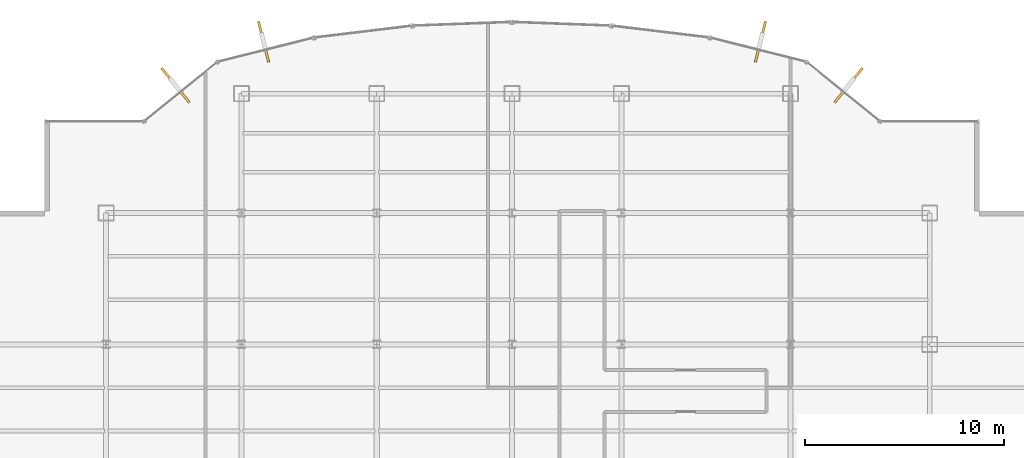
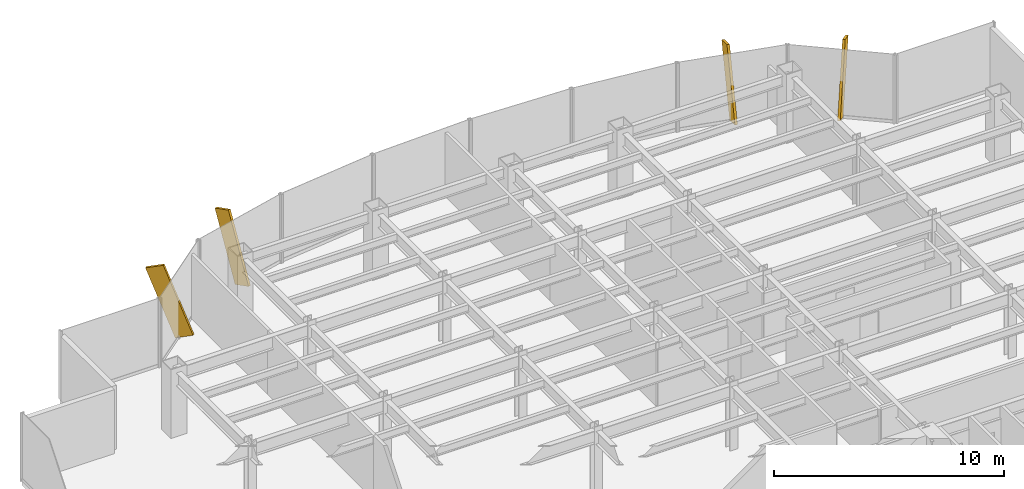
# One storey, part 25 of 26: 4 shading devices.
"""IFC4 building model written with IfcOpenShell, lengths in metres."""

from ifc_helpers import new_model, si_unit, derived_unit, direction, frame, origin, origin_2d, place, context, subcontext, project, spatial, rectangle, extrude, source, transform, mapped, material, type_object, element, save


model = new_model("IFC4")

# Units and contexts
model_context = context("Model", 3, precision=1e-05, world=origin(), true_north=direction((0.0, 1.0)))
body_context = subcontext(model_context, "Body", "Model", "MODEL_VIEW")
ifc_project = project(units=[si_unit("LENGTHUNIT", "METRE"), si_unit("AREAUNIT", "SQUARE_METRE"), si_unit("VOLUMEUNIT", "CUBIC_METRE"), si_unit("PLANEANGLEUNIT", "RADIAN"), si_unit("MASSUNIT", "GRAM", prefix="KILO"), derived_unit("THERMALTRANSMITTANCEUNIT", [(si_unit("POWERUNIT", "WATT"), 1), (si_unit("LENGTHUNIT", "METRE"), -2), (si_unit("THERMODYNAMICTEMPERATUREUNIT", "KELVIN"), -1)])], contexts=[model_context])

# Site, building, storey
site_placement = place(None, origin())
site = spatial("IfcSite", under=ifc_project, at=site_placement, CompositionType="ELEMENT")
building_placement = place(site_placement, origin())
building = spatial("IfcBuilding", under=site, at=building_placement, Name="Skarnbrae Concourse Arena and Tower", CompositionType="ELEMENT")
storey_placement = place(building_placement, frame((0.0, 0.0, 117.85009765625)))
storey = spatial("IfcBuildingStorey", under=building, at=storey_placement, Name="L29", CompositionType="ELEMENT", Elevation=117.85009765625)

# Shading devices
ifc_material = material(Name="Bronze anodised aluminium 6063-T6", Category="aluminium")
shading_device_type = type_object("IfcShadingDeviceType", Name="SHD-BRONZE-FIN-900", PredefinedType="USERDEFINED", material=ifc_material)
shared_shape = source(origin(), body_context, "Body", "SweptSolid", [
    extrude(rectangle(XDim=0.1201171875, YDim=0.89990234375, at=origin_2d()), origin(), (0.0, 0.0, 1.0), 3.64990234375),
])
for number, where, z_axis, x_axis, name in (
    (1, (44.4833984375, 40.28564453125, 0.136962890625), (0.239526668578, 0.294926759827, 0.925010908789), (0.776244501415, -0.630431974144, 0.0), "L29 Outward-leaning bronze shading fin 08"),
    (2, (40.336669921875, 42.40087890625, 0.112060546875), (0.084039023534, 0.334746461808, 0.93855327437), (0.969901771235, -0.243496517748, 0.0), "L29 Outward-leaning bronze shading fin 09"),
    (3, (15.663330078125, 42.40087890625, 0.112060546875), (-0.084039023534, 0.334746461808, 0.93855327437), (0.969901771235, 0.243496517748, 0.0), "L29 Outward-leaning bronze shading fin 14"),
    (4, (11.5166015625, 40.28564453125, 0.136962890625), (-0.239526668578, 0.294926759827, 0.925010908789), (0.776244501415, 0.630431974144, 0.0), "L29 Outward-leaning bronze shading fin 15"),
):
    element("IfcShadingDevice", number, at=place(storey_placement, frame(where, z_axis=z_axis, x_axis=x_axis)), inside=storey, type_object=shading_device_type, Name=name, ObjectType="FIN", PredefinedType="USERDEFINED", context=body_context, shape_type="MappedRepresentation", body=[
        mapped(shared_shape, transform((0.0, 0.0, 0.0))),
    ])

save(model, "model.ifc")
